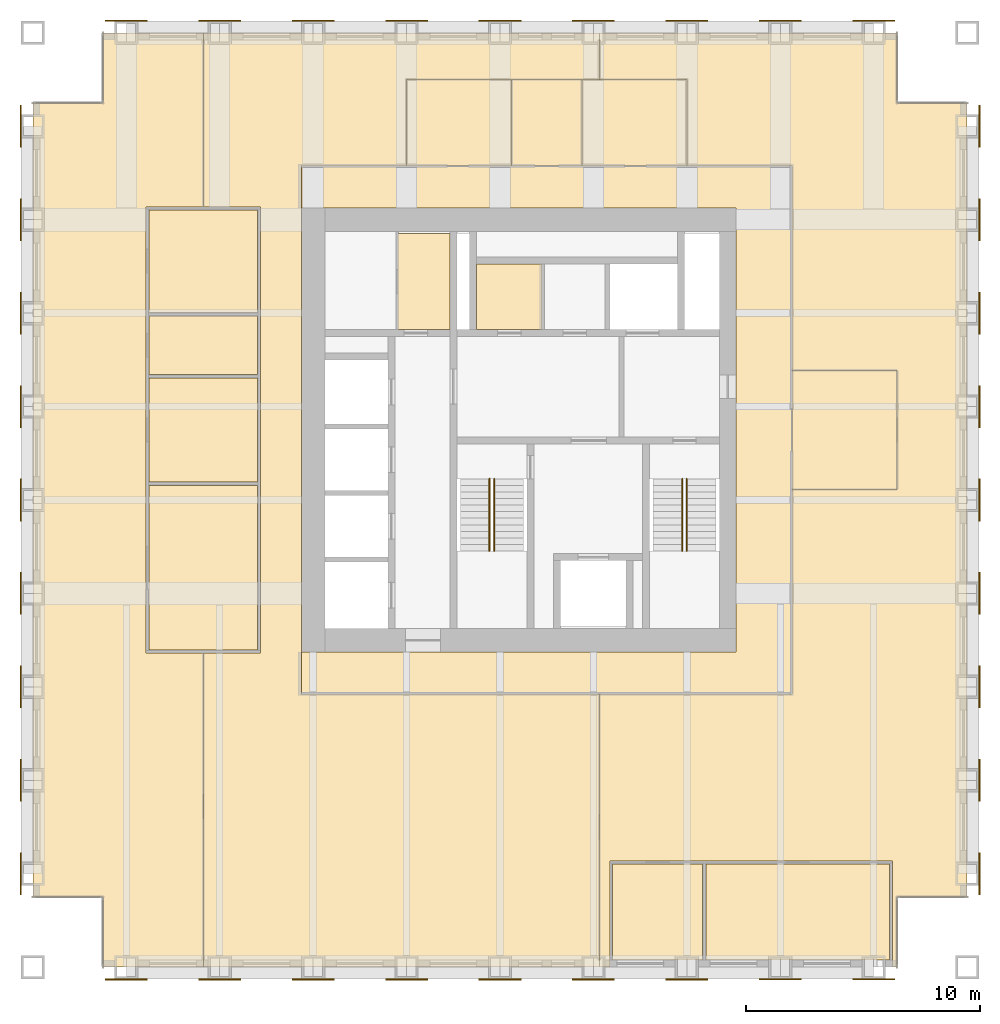
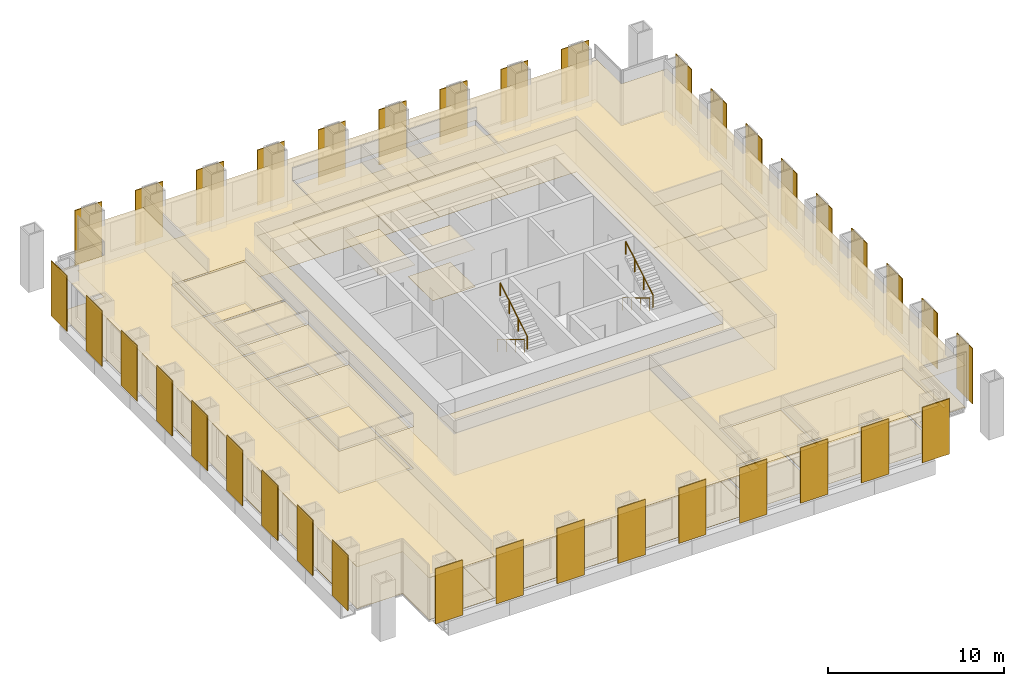
# One storey, part 11 of 11: 36 shading devices, 30 coverings, 4 railings.
"""IFC4 building model written with IfcOpenShell, lengths in metres."""

from ifc_helpers import new_model, si_unit, direction, frame, origin, origin_2d, place, context, subcontext, project, spatial, polyline, rectangle, circle, outline, extrude, material, layer, layer_set, type_object, element, save


model = new_model("IFC4")

# Units and contexts
model_context = context("Model", 3, precision=1e-05, world=origin(), true_north=direction((0.0, 1.0)))
body_context = subcontext(model_context, "Body", "Model", "MODEL_VIEW")
ifc_project = project(units=[si_unit("LENGTHUNIT", "METRE"), si_unit("AREAUNIT", "SQUARE_METRE"), si_unit("VOLUMEUNIT", "CUBIC_METRE"), si_unit("PLANEANGLEUNIT", "RADIAN"), si_unit("MASSUNIT", "GRAM", prefix="KILO")], contexts=[model_context])

# Site, building, storey
site_placement = place(None, origin())
site = spatial("IfcSite", under=ifc_project, at=site_placement, CompositionType="ELEMENT")
building_placement = place(site_placement, origin())
building = spatial("IfcBuilding", under=site, at=building_placement, Name="Rimbunsela Tower", CompositionType="ELEMENT")
storey_placement = place(building_placement, frame((0.0, 0.0, 282.199951171875)))
storey = spatial("IfcBuildingStorey", under=building, at=storey_placement, Name="L68", CompositionType="ELEMENT", Elevation=282.199951171875)

# Coverings
ifc_material_1 = material(Name="Nylon carpet tile", Category="textile")
ifc_layer_1 = layer(ifc_material_1, 0.010009765625)
ifc_layer_set_1 = layer_set([ifc_layer_1], Name="Carpet tile 10")
covering_type_1 = type_object("IfcCoveringType", Name="Carpet tile 10", PredefinedType="FLOORING", material=ifc_layer_set_1)
covering_1_placement = place(storey_placement, origin())
element("IfcCovering", 1, at=covering_1_placement, inside=storey, type_object=covering_type_1, Name="Floor finish Open office", PredefinedType="FLOORING", context=body_context, shape_type="SweptSolid", body=[
    extrude(outline(polyline([(30.699951171875, 8.550048828125), (30.699951171875, 4.0), (30.25, 4.0), (30.25, 15.699951171875), (38.5, 15.699951171875), (38.5, 24.449951171875), (43.0, 24.449951171875), (43.0, 29.550048828125), (38.5, 29.550048828125), (38.5, 38.300048828125), (34.0, 38.300048828125), (34.0, 42.0), (30.25, 42.0), (30.25, 44.0), (38.5, 44.0), (43.0, 44.0), (43.0, 41.0), (46.0, 41.0), (46.0, 7.0), (43.0, 7.0), (43.0, 4.0), (42.800048828125, 4.0), (42.800048828125, 8.550048828125), (38.5, 8.550048828125), (34.800048828125, 8.550048828125), (34.699951171875, 8.550048828125), (30.699951171875, 8.550048828125)])), origin(), (0.0, 0.0, 1.0), 0.010009765625),
])
covering_2_placement = place(storey_placement, origin())
element("IfcCovering", 2, at=covering_2_placement, inside=storey, type_object=covering_type_1, Name="Floor finish Open office", PredefinedType="FLOORING", context=body_context, shape_type="SweptSolid", body=[
    extrude(outline(polyline([(13.300048828125, 4.0), (9.0, 4.0), (9.0, 7.0), (6.0, 7.0), (6.0, 41.0), (9.0, 41.0), (9.0, 44.0), (13.300048828125, 44.0), (13.300048828125, 36.550048828125), (10.85009765625, 36.550048828125), (10.85009765625, 32.0), (10.85009765625, 31.89990234375), (10.85009765625, 29.35009765625), (10.85009765625, 29.25), (10.85009765625, 24.75), (10.85009765625, 24.64990234375), (10.85009765625, 17.449951171875), (13.300048828125, 17.449951171875), (13.300048828125, 4.0)])), origin(), (0.0, 0.0, 1.0), 0.010009765625),
])
covering_3_placement = place(storey_placement, origin())
element("IfcCovering", 3, at=covering_3_placement, inside=storey, type_object=covering_type_1, Name="Floor finish Open office", PredefinedType="FLOORING", context=body_context, shape_type="SweptSolid", body=[
    extrude(outline(polyline([(30.25, 4.0), (17.5, 4.0), (13.300048828125, 4.0), (13.300048828125, 17.449951171875), (15.75, 17.449951171875), (15.75, 24.64990234375), (15.75, 24.75), (15.75, 29.25), (15.75, 29.35009765625), (15.75, 31.89990234375), (15.75, 32.0), (15.75, 36.550048828125), (13.300048828125, 36.550048828125), (13.300048828125, 44.0), (17.5, 44.0), (30.25, 44.0), (30.25, 42.0), (22.0, 42.0), (22.0, 38.300048828125), (17.5, 38.300048828125), (17.5, 36.5), (17.5, 17.5), (17.5, 15.699951171875), (30.25, 15.699951171875), (30.25, 4.0)])), origin(), (0.0, 0.0, 1.0), 0.010009765625),
])
covering_4_placement = place(storey_placement, origin())
element("IfcCovering", 4, at=covering_4_placement, inside=storey, type_object=covering_type_1, Name="Floor finish Reception", PredefinedType="FLOORING", context=body_context, shape_type="SweptSolid", body=[
    extrude(outline(polyline([(43.0, 24.449951171875), (43.0, 29.550048828125), (38.5, 29.550048828125), (38.5, 24.449951171875), (43.0, 24.449951171875)])), origin(), (0.0, 0.0, 1.0), 0.010009765625),
])
covering_5_placement = place(storey_placement, origin())
element("IfcCovering", 5, at=covering_5_placement, inside=storey, type_object=covering_type_1, Name="Floor finish Executive office", PredefinedType="FLOORING", context=body_context, shape_type="SweptSolid", body=[
    extrude(outline(polyline([(34.675048828125, 4.300048828125), (34.675048828125, 8.425048828125), (30.824951171875, 8.425048828125), (30.824951171875, 4.300048828125), (34.675048828125, 4.300048828125)])), origin(), (0.0, 0.0, 1.0), 0.010009765625),
])
covering_6_placement = place(storey_placement, origin())
element("IfcCovering", 6, at=covering_6_placement, inside=storey, type_object=covering_type_1, Name="Floor finish Executive office", PredefinedType="FLOORING", context=body_context, shape_type="SweptSolid", body=[
    extrude(outline(polyline([(42.675048828125, 4.300048828125), (42.675048828125, 8.425048828125), (34.824951171875, 8.425048828125), (34.824951171875, 4.300048828125), (42.675048828125, 4.300048828125)])), origin(), (0.0, 0.0, 1.0), 0.010009765625),
])
covering_7_placement = place(storey_placement, origin())
element("IfcCovering", 7, at=covering_7_placement, inside=storey, type_object=covering_type_1, Name="Floor finish Boardroom", PredefinedType="FLOORING", context=body_context, shape_type="SweptSolid", body=[
    extrude(outline(polyline([(15.625, 17.574951171875), (15.625, 24.625), (10.97509765625, 24.625), (10.97509765625, 17.574951171875), (15.625, 17.574951171875)])), origin(), (0.0, 0.0, 1.0), 0.010009765625),
])
covering_8_placement = place(storey_placement, origin())
element("IfcCovering", 8, at=covering_8_placement, inside=storey, type_object=covering_type_1, Name="Floor finish Pantry", PredefinedType="FLOORING", context=body_context, shape_type="SweptSolid", body=[
    extrude(outline(polyline([(15.625, 24.77490234375), (15.625, 29.22509765625), (10.97509765625, 29.22509765625), (10.97509765625, 24.77490234375), (15.625, 24.77490234375)])), origin(), (0.0, 0.0, 1.0), 0.010009765625),
])
covering_9_placement = place(storey_placement, origin())
element("IfcCovering", 9, at=covering_9_placement, inside=storey, type_object=covering_type_1, Name="Floor finish Print and copy room", PredefinedType="FLOORING", context=body_context, shape_type="SweptSolid", body=[
    extrude(outline(polyline([(15.625, 29.375), (15.625, 31.875), (10.97509765625, 31.875), (10.97509765625, 29.375), (15.625, 29.375)])), origin(), (0.0, 0.0, 1.0), 0.010009765625),
])
covering_10_placement = place(storey_placement, origin())
element("IfcCovering", 10, at=covering_10_placement, inside=storey, type_object=covering_type_1, Name="Floor finish Office", PredefinedType="FLOORING", context=body_context, shape_type="SweptSolid", body=[
    extrude(outline(polyline([(15.625, 32.02490234375), (15.625, 36.425048828125), (10.97509765625, 36.425048828125), (10.97509765625, 32.02490234375), (15.625, 32.02490234375)])), origin(), (0.0, 0.0, 1.0), 0.010009765625),
])
ifc_material_2 = material(Name="Mineral fibre ceiling tile", Category="gypsum")
ifc_layer_2 = layer(ifc_material_2, 0.02001953125)
ifc_layer_set_2 = layer_set([ifc_layer_2], Name="Ceiling 600 grid")
covering_type_2 = type_object("IfcCoveringType", Name="Ceiling 600 grid", PredefinedType="CEILING", material=ifc_layer_set_2)
covering_11_placement = place(storey_placement, frame((0.0, 0.0, 2.900146484375)))
element("IfcCovering", 11, at=covering_11_placement, inside=storey, type_object=covering_type_2, Name="Ceiling Staff pantry", PredefinedType="CEILING", context=body_context, shape_type="SweptSolid", body=[
    extrude(outline(polyline([(23.85009765625, 31.300048828125), (23.85009765625, 35.39990234375), (21.60009765625, 35.39990234375), (21.60009765625, 31.300048828125), (23.85009765625, 31.300048828125)])), origin(), (0.0, 0.0, 1.0), 0.02001953125),
])
covering_12_placement = place(storey_placement, frame((0.0, 0.0, 2.900146484375)))
element("IfcCovering", 12, at=covering_12_placement, inside=storey, type_object=covering_type_2, Name="Ceiling U-shaped corridor", PredefinedType="CEILING", context=body_context, shape_type="SweptSolid", body=[
    extrude(outline(polyline([(38.5, 38.300048828125), (38.5, 15.699951171875), (17.5, 15.699951171875), (17.5, 17.5), (36.10009765625, 17.5), (36.10009765625, 36.5), (17.5, 36.5), (17.5, 38.300048828125), (38.5, 38.300048828125)])), origin(), (0.0, 0.0, 1.0), 0.02001953125),
])
covering_13_placement = place(storey_placement, frame((0.0, 0.0, 2.900146484375)))
element("IfcCovering", 13, at=covering_13_placement, inside=storey, type_object=covering_type_2, Name="Ceiling Open office", PredefinedType="CEILING", context=body_context, shape_type="SweptSolid", body=[
    extrude(outline(polyline([(30.699951171875, 8.550048828125), (30.699951171875, 4.0), (30.25, 4.0), (30.25, 15.699951171875), (38.5, 15.699951171875), (38.5, 24.449951171875), (43.0, 24.449951171875), (43.0, 29.550048828125), (38.5, 29.550048828125), (38.5, 38.300048828125), (34.0, 38.300048828125), (34.0, 42.0), (30.25, 42.0), (30.25, 44.0), (38.5, 44.0), (43.0, 44.0), (43.0, 41.0), (46.0, 41.0), (46.0, 7.0), (43.0, 7.0), (43.0, 4.0), (42.800048828125, 4.0), (42.800048828125, 8.550048828125), (38.5, 8.550048828125), (34.800048828125, 8.550048828125), (34.699951171875, 8.550048828125), (30.699951171875, 8.550048828125)])), origin(), (0.0, 0.0, 1.0), 0.02001953125),
])
covering_14_placement = place(storey_placement, frame((0.0, 0.0, 2.900146484375)))
element("IfcCovering", 14, at=covering_14_placement, inside=storey, type_object=covering_type_2, Name="Ceiling Open office", PredefinedType="CEILING", context=body_context, shape_type="SweptSolid", body=[
    extrude(outline(polyline([(13.300048828125, 4.0), (9.0, 4.0), (9.0, 7.0), (6.0, 7.0), (6.0, 41.0), (9.0, 41.0), (9.0, 44.0), (13.300048828125, 44.0), (13.300048828125, 36.550048828125), (10.85009765625, 36.550048828125), (10.85009765625, 32.0), (10.85009765625, 31.89990234375), (10.85009765625, 29.35009765625), (10.85009765625, 29.25), (10.85009765625, 24.75), (10.85009765625, 24.64990234375), (10.85009765625, 17.449951171875), (13.300048828125, 17.449951171875), (13.300048828125, 4.0)])), origin(), (0.0, 0.0, 1.0), 0.02001953125),
])
covering_15_placement = place(storey_placement, frame((0.0, 0.0, 2.900146484375)))
element("IfcCovering", 15, at=covering_15_placement, inside=storey, type_object=covering_type_2, Name="Ceiling Open office", PredefinedType="CEILING", context=body_context, shape_type="SweptSolid", body=[
    extrude(outline(polyline([(30.25, 4.0), (17.5, 4.0), (13.300048828125, 4.0), (13.300048828125, 17.449951171875), (15.75, 17.449951171875), (15.75, 24.64990234375), (15.75, 24.75), (15.75, 29.25), (15.75, 29.35009765625), (15.75, 31.89990234375), (15.75, 32.0), (15.75, 36.550048828125), (13.300048828125, 36.550048828125), (13.300048828125, 44.0), (17.5, 44.0), (30.25, 44.0), (30.25, 42.0), (22.0, 42.0), (22.0, 38.300048828125), (17.5, 38.300048828125), (17.5, 36.5), (17.5, 17.5), (17.5, 15.699951171875), (30.25, 15.699951171875), (30.25, 4.0)])), origin(), (0.0, 0.0, 1.0), 0.02001953125),
])
covering_16_placement = place(storey_placement, frame((0.0, 0.0, 2.900146484375)))
element("IfcCovering", 16, at=covering_16_placement, inside=storey, type_object=covering_type_2, Name="Ceiling Reception", PredefinedType="CEILING", context=body_context, shape_type="SweptSolid", body=[
    extrude(outline(polyline([(43.0, 24.449951171875), (43.0, 29.550048828125), (38.5, 29.550048828125), (38.5, 24.449951171875), (43.0, 24.449951171875)])), origin(), (0.0, 0.0, 1.0), 0.02001953125),
])
covering_17_placement = place(storey_placement, frame((0.0, 0.0, 2.900146484375)))
element("IfcCovering", 17, at=covering_17_placement, inside=storey, type_object=covering_type_2, Name="Ceiling Executive office", PredefinedType="CEILING", context=body_context, shape_type="SweptSolid", body=[
    extrude(outline(polyline([(34.675048828125, 4.300048828125), (34.675048828125, 8.425048828125), (30.824951171875, 8.425048828125), (30.824951171875, 4.300048828125), (34.675048828125, 4.300048828125)])), origin(), (0.0, 0.0, 1.0), 0.02001953125),
])
covering_18_placement = place(storey_placement, frame((0.0, 0.0, 2.900146484375)))
element("IfcCovering", 18, at=covering_18_placement, inside=storey, type_object=covering_type_2, Name="Ceiling Executive office", PredefinedType="CEILING", context=body_context, shape_type="SweptSolid", body=[
    extrude(outline(polyline([(42.675048828125, 4.300048828125), (42.675048828125, 8.425048828125), (34.824951171875, 8.425048828125), (34.824951171875, 4.300048828125), (42.675048828125, 4.300048828125)])), origin(), (0.0, 0.0, 1.0), 0.02001953125),
])
covering_19_placement = place(storey_placement, frame((0.0, 0.0, 2.900146484375)))
element("IfcCovering", 19, at=covering_19_placement, inside=storey, type_object=covering_type_2, Name="Ceiling Boardroom", PredefinedType="CEILING", context=body_context, shape_type="SweptSolid", body=[
    extrude(outline(polyline([(15.625, 17.574951171875), (15.625, 24.625), (10.97509765625, 24.625), (10.97509765625, 17.574951171875), (15.625, 17.574951171875)])), origin(), (0.0, 0.0, 1.0), 0.02001953125),
])
covering_20_placement = place(storey_placement, frame((0.0, 0.0, 2.900146484375)))
element("IfcCovering", 20, at=covering_20_placement, inside=storey, type_object=covering_type_2, Name="Ceiling Pantry", PredefinedType="CEILING", context=body_context, shape_type="SweptSolid", body=[
    extrude(outline(polyline([(15.625, 24.77490234375), (15.625, 29.22509765625), (10.97509765625, 29.22509765625), (10.97509765625, 24.77490234375), (15.625, 24.77490234375)])), origin(), (0.0, 0.0, 1.0), 0.02001953125),
])
covering_21_placement = place(storey_placement, frame((0.0, 0.0, 2.900146484375)))
element("IfcCovering", 21, at=covering_21_placement, inside=storey, type_object=covering_type_2, Name="Ceiling Print and copy room", PredefinedType="CEILING", context=body_context, shape_type="SweptSolid", body=[
    extrude(outline(polyline([(15.625, 29.375), (15.625, 31.875), (10.97509765625, 31.875), (10.97509765625, 29.375), (15.625, 29.375)])), origin(), (0.0, 0.0, 1.0), 0.02001953125),
])
covering_22_placement = place(storey_placement, frame((0.0, 0.0, 2.900146484375)))
element("IfcCovering", 22, at=covering_22_placement, inside=storey, type_object=covering_type_2, Name="Ceiling Office", PredefinedType="CEILING", context=body_context, shape_type="SweptSolid", body=[
    extrude(outline(polyline([(15.625, 32.02490234375), (15.625, 36.425048828125), (10.97509765625, 36.425048828125), (10.97509765625, 32.02490234375), (15.625, 32.02490234375)])), origin(), (0.0, 0.0, 1.0), 0.02001953125),
])
ifc_material_3 = material(Name="Moisture-resistant plasterboard ceiling", Category="gypsum")
ifc_layer_3 = layer(ifc_material_3, 0.012451171875)
ifc_layer_set_3 = layer_set([ifc_layer_3], Name="Ceiling moisture-resistant board")
covering_type_3 = type_object("IfcCoveringType", Name="Ceiling moisture-resistant board", PredefinedType="CEILING", material=ifc_layer_set_3)
covering_23_placement = place(storey_placement, frame((0.0, 0.0, 2.60009765625)))
element("IfcCovering", 23, at=covering_23_placement, inside=storey, type_object=covering_type_3, Name="Ceiling Staff WC", PredefinedType="CEILING", context=body_context, shape_type="SweptSolid", body=[
    extrude(outline(polyline([(27.800048828125, 31.300048828125), (27.800048828125, 34.10009765625), (25.0, 34.10009765625), (25.0, 31.300048828125), (27.800048828125, 31.300048828125)])), origin(), (0.0, 0.0, 1.0), 0.02001953125),
])
covering_24_placement = place(storey_placement, frame((0.0, 0.0, 2.60009765625)))
element("IfcCovering", 24, at=covering_24_placement, inside=storey, type_object=covering_type_3, Name="Ceiling Female WC", PredefinedType="CEILING", context=body_context, shape_type="SweptSolid", body=[
    extrude(outline(polyline([(26.5, 38.300048828125), (26.5, 42.0), (22.0, 42.0), (22.0, 38.300048828125), (26.5, 38.300048828125)])), origin(), (0.0, 0.0, 1.0), 0.02001953125),
])
covering_25_placement = place(storey_placement, frame((0.0, 0.0, 2.60009765625)))
element("IfcCovering", 25, at=covering_25_placement, inside=storey, type_object=covering_type_3, Name="Ceiling Accessible WC", PredefinedType="CEILING", context=body_context, shape_type="SweptSolid", body=[
    extrude(outline(polyline([(29.5, 38.300048828125), (29.5, 42.0), (26.5, 42.0), (26.5, 38.300048828125), (29.5, 38.300048828125)])), origin(), (0.0, 0.0, 1.0), 0.02001953125),
])
covering_26_placement = place(storey_placement, frame((0.0, 0.0, 2.60009765625)))
element("IfcCovering", 26, at=covering_26_placement, inside=storey, type_object=covering_type_3, Name="Ceiling Male WC", PredefinedType="CEILING", context=body_context, shape_type="SweptSolid", body=[
    extrude(outline(polyline([(34.0, 38.300048828125), (34.0, 42.0), (29.5, 42.0), (29.5, 38.300048828125), (34.0, 38.300048828125)])), origin(), (0.0, 0.0, 1.0), 0.02001953125),
])
ifc_material_4 = material(Name="Porcelain floor tile in adhesive bed", Category="ceramic")
ifc_layer_4 = layer(ifc_material_4, 0.02001953125)
ifc_layer_set_4 = layer_set([ifc_layer_4], Name="Porcelain tile 20")
covering_type_4 = type_object("IfcCoveringType", Name="Porcelain tile 20", PredefinedType="FLOORING", material=ifc_layer_set_4)
covering_27_placement = place(storey_placement, origin())
element("IfcCovering", 27, at=covering_27_placement, inside=storey, type_object=covering_type_4, Name="Floor finish Staff WC", PredefinedType="FLOORING", context=body_context, shape_type="SweptSolid", body=[
    extrude(outline(polyline([(27.800048828125, 31.300048828125), (27.800048828125, 34.10009765625), (25.0, 34.10009765625), (25.0, 31.300048828125), (27.800048828125, 31.300048828125)])), origin(), (0.0, 0.0, 1.0), 0.02001953125),
])
covering_28_placement = place(storey_placement, origin())
element("IfcCovering", 28, at=covering_28_placement, inside=storey, type_object=covering_type_4, Name="Floor finish Female WC", PredefinedType="FLOORING", context=body_context, shape_type="SweptSolid", body=[
    extrude(outline(polyline([(26.5, 38.300048828125), (26.5, 42.0), (22.0, 42.0), (22.0, 38.300048828125), (26.5, 38.300048828125)])), origin(), (0.0, 0.0, 1.0), 0.02001953125),
])
covering_29_placement = place(storey_placement, origin())
element("IfcCovering", 29, at=covering_29_placement, inside=storey, type_object=covering_type_4, Name="Floor finish Accessible WC", PredefinedType="FLOORING", context=body_context, shape_type="SweptSolid", body=[
    extrude(outline(polyline([(29.5, 38.300048828125), (29.5, 42.0), (26.5, 42.0), (26.5, 38.300048828125), (29.5, 38.300048828125)])), origin(), (0.0, 0.0, 1.0), 0.02001953125),
])
covering_30_placement = place(storey_placement, origin())
element("IfcCovering", 30, at=covering_30_placement, inside=storey, type_object=covering_type_4, Name="Floor finish Male WC", PredefinedType="FLOORING", context=body_context, shape_type="SweptSolid", body=[
    extrude(outline(polyline([(34.0, 38.300048828125), (34.0, 42.0), (29.5, 42.0), (29.5, 38.300048828125), (34.0, 38.300048828125)])), origin(), (0.0, 0.0, 1.0), 0.02001953125),
])

# Shading devices
ifc_material_5 = material(Name="Perforated aluminium, 35 % open area", Category="aluminium")
ifc_layer_5 = layer(ifc_material_5, 0.050048828125)
ifc_layer_set_5 = layer_set([ifc_layer_5], Name="Solar screen panel 1800")
shading_device_type = type_object("IfcShadingDeviceType", Name="Solar screen panel 1800", PredefinedType="USERDEFINED", material=ifc_layer_set_5)
for number, where, z_axis, x_axis, name in (
    (31, (10.0, 3.47509765625, 0.0), (0.0, 0.0, 1.0), (1.0, 0.0, 0.0), "Solar screen S L68"),
    (32, (14.0, 3.47509765625, 0.0), (0.0, 0.0, 1.0), (1.0, 0.0, 0.0), "Solar screen S L68"),
    (33, (18.0, 3.47509765625, 0.0), (0.0, 0.0, 1.0), (1.0, 0.0, 0.0), "Solar screen S L68"),
    (34, (22.0, 3.47509765625, 0.0), (0.0, 0.0, 1.0), (1.0, 0.0, 0.0), "Solar screen S L68"),
    (35, (26.0, 3.47509765625, 0.0), (0.0, 0.0, 1.0), (1.0, 0.0, 0.0), "Solar screen S L68"),
    (36, (30.0, 3.47509765625, 0.0), (0.0, 0.0, 1.0), (1.0, 0.0, 0.0), "Solar screen S L68"),
    (37, (34.0, 3.47509765625, 0.0), (0.0, 0.0, 1.0), (1.0, 0.0, 0.0), "Solar screen S L68"),
    (38, (38.0, 3.47509765625, 0.0), (0.0, 0.0, 1.0), (1.0, 0.0, 0.0), "Solar screen S L68"),
    (39, (42.0, 3.47509765625, 0.0), (0.0, 0.0, 1.0), (1.0, 0.0, 0.0), "Solar screen S L68"),
    (40, (46.52490234375, 8.0, 0.0), (0.0, 0.0, 1.0), (0.0, 1.0, 0.0), "Solar screen E L68"),
    (41, (46.52490234375, 12.0, 0.0), (0.0, 0.0, 1.0), (0.0, 1.0, 0.0), "Solar screen E L68"),
    (42, (46.52490234375, 16.0, 0.0), (0.0, 0.0, 1.0), (0.0, 1.0, 0.0), "Solar screen E L68"),
    (43, (46.52490234375, 20.0, 0.0), (0.0, 0.0, 1.0), (0.0, 1.0, 0.0), "Solar screen E L68"),
    (44, (46.52490234375, 24.0, 0.0), (0.0, 0.0, 1.0), (0.0, 1.0, 0.0), "Solar screen E L68"),
    (45, (46.52490234375, 28.0, 0.0), (0.0, 0.0, 1.0), (0.0, 1.0, 0.0), "Solar screen E L68"),
    (46, (46.52490234375, 32.0, 0.0), (0.0, 0.0, 1.0), (0.0, 1.0, 0.0), "Solar screen E L68"),
    (47, (46.52490234375, 36.0, 0.0), (0.0, 0.0, 1.0), (0.0, 1.0, 0.0), "Solar screen E L68"),
    (48, (46.52490234375, 40.0, 0.0), (0.0, 0.0, 1.0), (0.0, 1.0, 0.0), "Solar screen E L68"),
    (49, (10.0, 44.52490234375, 0.0), (0.0, 0.0, 1.0), (1.0, 0.0, 0.0), "Solar screen N L68"),
    (50, (14.0, 44.52490234375, 0.0), (0.0, 0.0, 1.0), (1.0, 0.0, 0.0), "Solar screen N L68"),
    (51, (18.0, 44.52490234375, 0.0), (0.0, 0.0, 1.0), (1.0, 0.0, 0.0), "Solar screen N L68"),
    (52, (22.0, 44.52490234375, 0.0), (0.0, 0.0, 1.0), (1.0, 0.0, 0.0), "Solar screen N L68"),
    (53, (26.0, 44.52490234375, 0.0), (0.0, 0.0, 1.0), (1.0, 0.0, 0.0), "Solar screen N L68"),
    (54, (30.0, 44.52490234375, 0.0), (0.0, 0.0, 1.0), (1.0, 0.0, 0.0), "Solar screen N L68"),
    (55, (34.0, 44.52490234375, 0.0), (0.0, 0.0, 1.0), (1.0, 0.0, 0.0), "Solar screen N L68"),
    (56, (38.0, 44.52490234375, 0.0), (0.0, 0.0, 1.0), (1.0, 0.0, 0.0), "Solar screen N L68"),
    (57, (42.0, 44.52490234375, 0.0), (0.0, 0.0, 1.0), (1.0, 0.0, 0.0), "Solar screen N L68"),
    (58, (5.47509765625, 8.0, 0.0), (0.0, 0.0, 1.0), (0.0, 1.0, 0.0), "Solar screen W L68"),
    (59, (5.47509765625, 12.0, 0.0), (0.0, 0.0, 1.0), (0.0, 1.0, 0.0), "Solar screen W L68"),
    (60, (5.47509765625, 16.0, 0.0), (0.0, 0.0, 1.0), (0.0, 1.0, 0.0), "Solar screen W L68"),
    (61, (5.47509765625, 20.0, 0.0), (0.0, 0.0, 1.0), (0.0, 1.0, 0.0), "Solar screen W L68"),
    (62, (5.47509765625, 24.0, 0.0), (0.0, 0.0, 1.0), (0.0, 1.0, 0.0), "Solar screen W L68"),
    (63, (5.47509765625, 28.0, 0.0), (0.0, 0.0, 1.0), (0.0, 1.0, 0.0), "Solar screen W L68"),
    (64, (5.47509765625, 32.0, 0.0), (0.0, 0.0, 1.0), (0.0, 1.0, 0.0), "Solar screen W L68"),
    (65, (5.47509765625, 36.0, 0.0), (0.0, 0.0, 1.0), (0.0, 1.0, 0.0), "Solar screen W L68"),
    (66, (5.47509765625, 40.0, 0.0), (0.0, 0.0, 1.0), (0.0, 1.0, 0.0), "Solar screen W L68"),
):
    element("IfcShadingDevice", number, at=place(storey_placement, frame(where, z_axis=z_axis, x_axis=x_axis)), inside=storey, type_object=shading_device_type, Name=name, ObjectType="SCREEN", PredefinedType="USERDEFINED", context=body_context, shape_type="SweptSolid", body=[
        extrude(rectangle(XDim=1.800048828125, YDim=0.050048828125, at=origin_2d()), origin(), (0.0, 0.0, 1.0), 3.85009765625),
    ])

# Railings
ifc_material_6 = material(Name="Stainless steel tube", Category="steel")
railing_type = type_object("IfcRailingType", Name="Stair handrail 900", PredefinedType="HANDRAIL", material=ifc_material_6)
railing_1_placement = place(storey_placement, frame((25.550048828125, 24.89990234375, 0.166748046875)))
element("IfcRailing", 67, at=railing_1_placement, inside=storey, type_object=railing_type, Name="Handrail ST-A flight 1", PredefinedType="HANDRAIL", context=body_context, shape_type="SweptSolid", body=[
    extrude(circle(Radius=0.02392578125, at=origin_2d()), frame((0.0, 0.0, 0.8759765625), z_axis=(0.0, -0.859290745958, 0.51148745235), x_axis=(1.0, 0.0, 0.0)), (0.0, 0.0, 1.0), 3.584228515625),
    extrude(circle(Radius=0.02099609375, at=origin_2d()), origin(), (0.0, 0.0, 1.0), 0.851806640625),
    extrude(circle(Radius=0.02099609375, at=origin_2d()), frame((0.0, -1.026611328125, 0.611083984375)), (0.0, 0.0, 1.0), 0.851806640625),
    extrude(circle(Radius=0.02099609375, at=origin_2d()), frame((0.0, -2.05322265625, 1.22216796875)), (0.0, 0.0, 1.0), 0.851806640625),
    extrude(circle(Radius=0.02099609375, at=origin_2d()), frame((0.0, -3.079833984375, 1.833251953125)), (0.0, 0.0, 1.0), 0.851806640625),
])
railing_2_placement = place(storey_placement, frame((25.75, 21.820068359375, 2.166748046875)))
element("IfcRailing", 68, at=railing_2_placement, inside=storey, type_object=railing_type, Name="Handrail ST-A flight 2", PredefinedType="HANDRAIL", context=body_context, shape_type="SweptSolid", body=[
    extrude(circle(Radius=0.02392578125, at=origin_2d()), frame((0.0, 0.0, 0.8759765625), z_axis=(0.0, 0.859290745958, 0.51148745235), x_axis=(-1.0, 0.0, 0.0)), (0.0, 0.0, 1.0), 3.584228515625),
    extrude(circle(Radius=0.02099609375, at=origin_2d()), origin(), (0.0, 0.0, 1.0), 0.851806640625),
    extrude(circle(Radius=0.02099609375, at=origin_2d()), frame((0.0, 1.026611328125, 0.611083984375)), (0.0, 0.0, 1.0), 0.851806640625),
    extrude(circle(Radius=0.02099609375, at=origin_2d()), frame((0.0, 2.05322265625, 1.22216796875)), (0.0, 0.0, 1.0), 0.851806640625),
    extrude(circle(Radius=0.02099609375, at=origin_2d()), frame((0.0, 3.079833984375, 1.833251953125)), (0.0, 0.0, 1.0), 0.851806640625),
])
railing_3_placement = place(storey_placement, frame((33.800048828125, 24.89990234375, 0.166748046875)))
element("IfcRailing", 69, at=railing_3_placement, inside=storey, type_object=railing_type, Name="Handrail ST-B flight 1", PredefinedType="HANDRAIL", context=body_context, shape_type="SweptSolid", body=[
    extrude(circle(Radius=0.02392578125, at=origin_2d()), frame((0.0, 0.0, 0.8759765625), z_axis=(0.0, -0.859290745958, 0.51148745235), x_axis=(1.0, 0.0, 0.0)), (0.0, 0.0, 1.0), 3.584228515625),
    extrude(circle(Radius=0.02099609375, at=origin_2d()), origin(), (0.0, 0.0, 1.0), 0.851806640625),
    extrude(circle(Radius=0.02099609375, at=origin_2d()), frame((0.0, -1.026611328125, 0.611083984375)), (0.0, 0.0, 1.0), 0.851806640625),
    extrude(circle(Radius=0.02099609375, at=origin_2d()), frame((0.0, -2.05322265625, 1.22216796875)), (0.0, 0.0, 1.0), 0.851806640625),
    extrude(circle(Radius=0.02099609375, at=origin_2d()), frame((0.0, -3.079833984375, 1.833251953125)), (0.0, 0.0, 1.0), 0.851806640625),
])
railing_4_placement = place(storey_placement, frame((34.0, 21.820068359375, 2.166748046875)))
element("IfcRailing", 70, at=railing_4_placement, inside=storey, type_object=railing_type, Name="Handrail ST-B flight 2", PredefinedType="HANDRAIL", context=body_context, shape_type="SweptSolid", body=[
    extrude(circle(Radius=0.02392578125, at=origin_2d()), frame((0.0, 0.0, 0.8759765625), z_axis=(0.0, 0.859290745958, 0.51148745235), x_axis=(-1.0, 0.0, 0.0)), (0.0, 0.0, 1.0), 3.584228515625),
    extrude(circle(Radius=0.02099609375, at=origin_2d()), origin(), (0.0, 0.0, 1.0), 0.851806640625),
    extrude(circle(Radius=0.02099609375, at=origin_2d()), frame((0.0, 1.026611328125, 0.611083984375)), (0.0, 0.0, 1.0), 0.851806640625),
    extrude(circle(Radius=0.02099609375, at=origin_2d()), frame((0.0, 2.05322265625, 1.22216796875)), (0.0, 0.0, 1.0), 0.851806640625),
    extrude(circle(Radius=0.02099609375, at=origin_2d()), frame((0.0, 3.079833984375, 1.833251953125)), (0.0, 0.0, 1.0), 0.851806640625),
])

save(model, "model.ifc")
